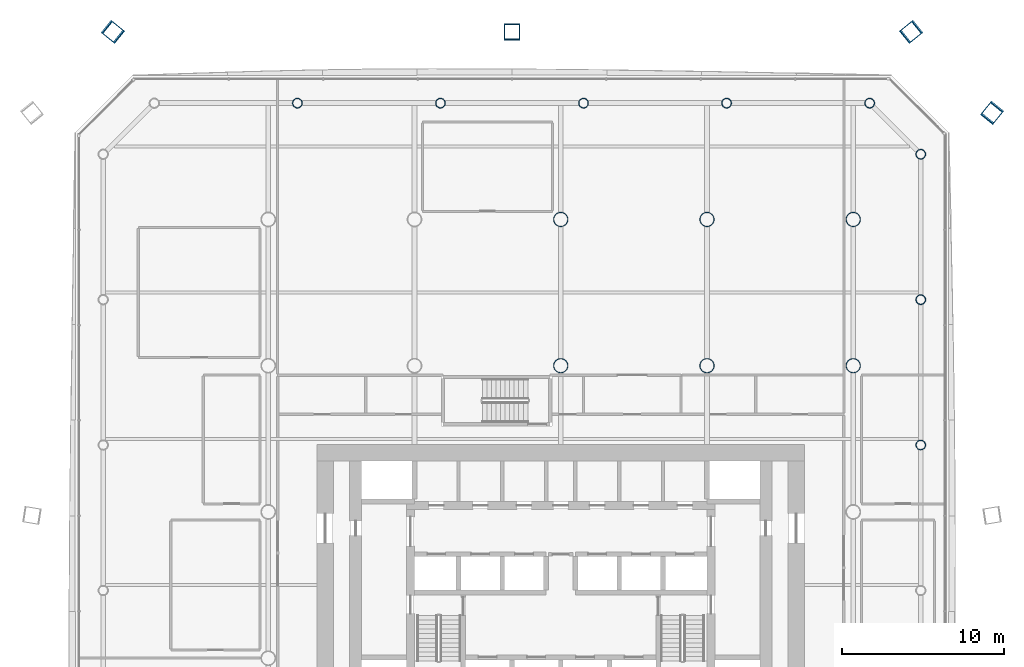
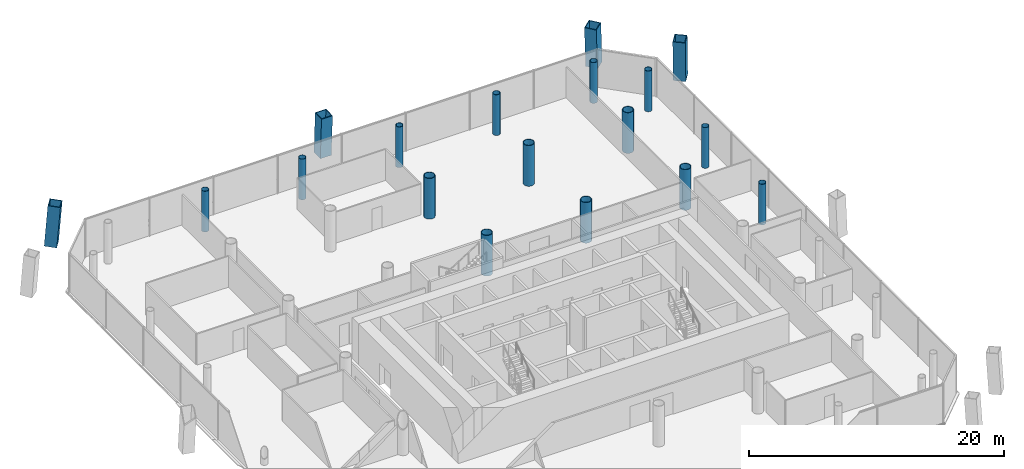
# One storey, part 2 of 21: 18 columns.
"""IFC4 building model written with IfcOpenShell, lengths in metres."""

from ifc_helpers import new_model, si_unit, direction, frame, origin, origin_2d, place, context, subcontext, project, spatial, hollow_rectangle, hollow_circle, extrude, material, material_profile, profile_set, type_object, element, save


model = new_model("IFC4")

# Units and contexts
model_context = context("Model", 3, precision=1e-05, world=origin(), true_north=direction((0.0, 1.0)))
body_context = subcontext(model_context, "Body", "Model", "MODEL_VIEW")
ifc_project = project(units=[si_unit("LENGTHUNIT", "METRE"), si_unit("AREAUNIT", "SQUARE_METRE"), si_unit("VOLUMEUNIT", "CUBIC_METRE"), si_unit("PLANEANGLEUNIT", "RADIAN"), si_unit("MASSUNIT", "GRAM", prefix="KILO")], contexts=[model_context])

# Site, building, storey
site_placement = place(None, origin())
site = spatial("IfcSite", under=ifc_project, at=site_placement, CompositionType="ELEMENT")
building_placement = place(site_placement, origin())
building = spatial("IfcBuilding", under=site, at=building_placement, Name="Tskaro Facet Tower", CompositionType="ELEMENT")
storey_placement = place(building_placement, frame((0.0, 0.0, 38.10009765625)))
storey = spatial("IfcBuildingStorey", under=building, at=storey_placement, Name="L08", CompositionType="ELEMENT", Elevation=38.10009765625)

# Columns
ifc_material_1 = material(Name="Steel S460M", Category="steel")
ifc_material_profile_1 = material_profile(ifc_material_1, hollow_rectangle(XDim=1.0, YDim=1.0, WallThickness=0.06005859375, at=origin_2d()), Name="BOX 1000x1000x60")
ifc_profile_set_1 = profile_set([ifc_material_profile_1], Name="Steel S460M")
column_type_1 = type_object("IfcColumnType", Name="BOX 1000x1000x60 mega column", PredefinedType="COLUMN", material=ifc_profile_set_1)
for number, where, z_axis, x_axis, name in (
    (1, (26.572021484375, 24.595947265625, 0.0), (-0.046820522728, -0.058057448183, 0.997214706752), (0.778413039475, -0.62775245119, 0.0), "BOX 1000x1000x60 MC06/1"),
    (2, (21.595947265625, 29.572021484375, 0.0), (-0.058057448183, -0.046820522728, 0.997214706752), (0.62775245119, -0.778413039475, 0.0), "BOX 1000x1000x60 MC07/1"),
):
    element("IfcColumn", number, at=place(storey_placement, frame(where, z_axis=z_axis, x_axis=x_axis)), inside=storey, type_object=column_type_1, Name=name, PredefinedType="COLUMN", context=body_context, shape_type="SweptSolid", body=[
        extrude(hollow_rectangle(XDim=1.0, YDim=1.0, WallThickness=0.06005859375, at=origin_2d()), origin(), (0.0, 0.0, 1.0), 3.910888671875),
    ])
column_1_placement = place(storey_placement, frame((-3.0, 29.572021484375, 0.0), z_axis=(0.0, -0.046899630973, 0.998899606875), x_axis=(1.0, 0.0, 0.0)))
element("IfcColumn", 3, at=column_1_placement, inside=storey, type_object=column_type_1, Name="BOX 1000x1000x60 MC08/1", PredefinedType="COLUMN", context=body_context, shape_type="SweptSolid", body=[
    extrude(hollow_rectangle(XDim=1.0, YDim=1.0, WallThickness=0.06005859375, at=origin_2d()), origin(), (0.0, 0.0, 1.0), 3.904296875),
])
column_2_placement = place(storey_placement, frame((-27.595947265625, 29.572021484375, 0.0), z_axis=(0.058057448183, -0.046820522728, 0.997214706752), x_axis=(0.62775245119, 0.778413039475, 0.0)))
element("IfcColumn", 4, at=column_2_placement, inside=storey, type_object=column_type_1, Name="BOX 1000x1000x60 MC09/1", PredefinedType="COLUMN", context=body_context, shape_type="SweptSolid", body=[
    extrude(hollow_rectangle(XDim=1.0, YDim=1.0, WallThickness=0.06005859375, at=origin_2d()), origin(), (0.0, 0.0, 1.0), 3.910888671875),
])
ifc_material_2 = material(Name="Steel S355J2H", Category="steel")
ifc_material_profile_2 = material_profile(ifc_material_2, hollow_circle(Radius=0.304931640625, WallThickness=0.030029296875, at=origin_2d()), Name="CHS 610x30")
ifc_profile_set_2 = profile_set([ifc_material_profile_2], Name="Steel S355J2H")
column_type_2 = type_object("IfcColumnType", Name="CHS 610x30 ring column", PredefinedType="COLUMN", material=ifc_profile_set_2)
for number, where, z_axis, x_axis, name in (
    (5, (22.156982421875, 4.115966796875, 0.0), (0.0, 0.0, 1.0), (1.0, 0.0, 0.0), "CHS 610x30 RE-4/1"),
    (6, (22.156982421875, 13.06396484375, 0.0), (0.0, 0.0, 1.0), (1.0, 0.0, 0.0), "CHS 610x30 RE-5/1"),
    (7, (22.156982421875, 22.011962890625, 0.0), (0.0, 0.0, 1.0), (1.0, 0.0, 0.0), "CHS 610x30 RNE-1/1"),
    (8, (19.011962890625, 25.156982421875, 0.0), (0.0, 0.0, 1.0), (1.0, 0.0, 0.0), "CHS 610x30 RN-1/1"),
    (9, (10.20703125, 25.156982421875, 0.0), (0.0, 0.0, 1.0), (1.0, 0.0, 0.0), "CHS 610x30 RN-2/1"),
    (10, (1.402099609375, 25.156982421875, 0.0), (0.0, 0.0, 1.0), (1.0, 0.0, 0.0), "CHS 610x30 RN-3/1"),
    (11, (-7.402099609375, 25.156982421875, 0.0), (0.0, 0.0, 1.0), (1.0, 0.0, 0.0), "CHS 610x30 RN-4/1"),
    (12, (-16.20703125, 25.156982421875, 0.0), (0.0, 0.0, 1.0), (1.0, 0.0, 0.0), "CHS 610x30 RN-5/1"),
):
    element("IfcColumn", number, at=place(storey_placement, frame(where, z_axis=z_axis, x_axis=x_axis)), inside=storey, type_object=column_type_2, Name=name, PredefinedType="COLUMN", context=body_context, shape_type="SweptSolid", body=[
        extrude(hollow_circle(Radius=0.304931640625, WallThickness=0.030029296875, at=origin_2d()), origin(), (0.0, 0.0, 1.0), 3.89990234375),
    ])
ifc_material_profile_3 = material_profile(ifc_material_2, hollow_circle(Radius=0.457275390625, WallThickness=0.050048828125, at=origin_2d()), Name="CHS 914.4x50")
ifc_profile_set_3 = profile_set([ifc_material_profile_3], Name="Steel S355J2H")
column_type_3 = type_object("IfcColumnType", Name="CHS 914.4x50 interior column", PredefinedType="COLUMN", material=ifc_profile_set_3)
for number, where, z_axis, x_axis, name in (
    (13, (0.0, 9.0, 0.0), (0.0, 0.0, 1.0), (1.0, 0.0, 0.0), "CHS 914.4x50 C4E/1"),
    (14, (0.0, 18.0, 0.0), (0.0, 0.0, 1.0), (1.0, 0.0, 0.0), "CHS 914.4x50 C4F/1"),
    (15, (9.0, 9.0, 0.0), (0.0, 0.0, 1.0), (1.0, 0.0, 0.0), "CHS 914.4x50 C5E/1"),
    (16, (9.0, 18.0, 0.0), (0.0, 0.0, 1.0), (1.0, 0.0, 0.0), "CHS 914.4x50 C5F/1"),
    (17, (18.0, 9.0, 0.0), (0.0, 0.0, 1.0), (1.0, 0.0, 0.0), "CHS 914.4x50 C6E/1"),
    (18, (18.0, 18.0, 0.0), (0.0, 0.0, 1.0), (1.0, 0.0, 0.0), "CHS 914.4x50 C6F/1"),
):
    element("IfcColumn", number, at=place(storey_placement, frame(where, z_axis=z_axis, x_axis=x_axis)), inside=storey, type_object=column_type_3, Name=name, PredefinedType="COLUMN", context=body_context, shape_type="SweptSolid", body=[
        extrude(hollow_circle(Radius=0.457275390625, WallThickness=0.050048828125, at=origin_2d()), origin(), (0.0, 0.0, 1.0), 3.89990234375),
    ])

save(model, "model.ifc")
